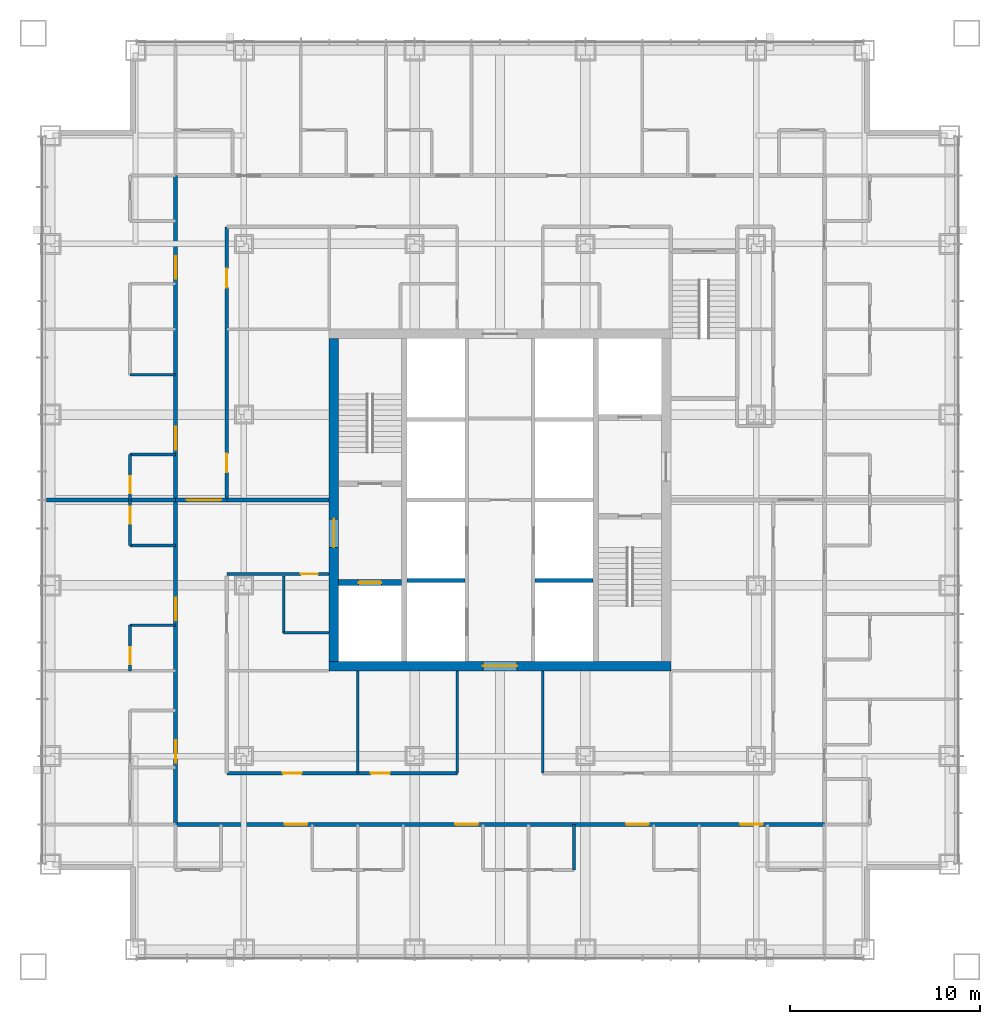
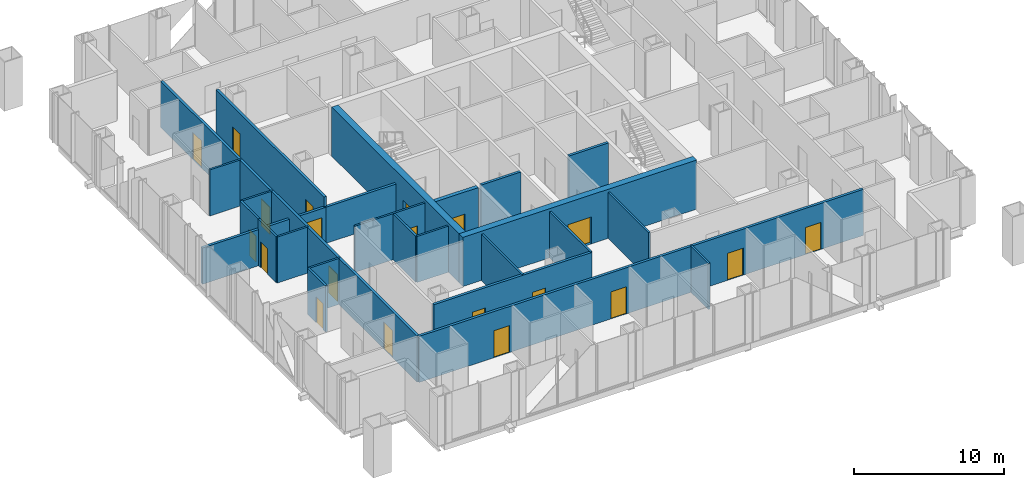
# One storey, part 9 of 16: 26 walls, 20 doors, 20 openings.
"""IFC4 building model written with IfcOpenShell, lengths in metres."""

from ifc_helpers import new_model, si_unit, direction, frame, frame_2d, origin, place, context, subcontext, project, spatial, rectangle, extrude, material, layer, layer_set, type_object, element, fill, save


model = new_model("IFC4")

# Units and contexts
model_context = context("Model", 3, precision=1e-05, world=origin(), true_north=direction((0.0, 1.0)))
body_context = subcontext(model_context, "Body", "Model", "MODEL_VIEW")
ifc_project = project(units=[si_unit("LENGTHUNIT", "METRE"), si_unit("AREAUNIT", "SQUARE_METRE"), si_unit("VOLUMEUNIT", "CUBIC_METRE"), si_unit("PLANEANGLEUNIT", "RADIAN"), si_unit("MASSUNIT", "GRAM", prefix="KILO")], contexts=[model_context])

# Site, building, storey
site_placement = place(None, origin())
site = spatial("IfcSite", under=ifc_project, at=site_placement, CompositionType="ELEMENT")
building_placement = place(site_placement, origin())
building = spatial("IfcBuilding", under=site, at=building_placement, Name="Malebo Sky Hospital", CompositionType="ELEMENT")
storey_placement = place(building_placement, frame((0.0, 0.0, 108.0)))
storey = spatial("IfcBuildingStorey", under=building, at=storey_placement, Name="L25", CompositionType="ELEMENT", Elevation=108.0)

# Walls
ifc_material_1 = material(Name="Concrete C80/95", Category="concrete")
ifc_layer_1 = layer(ifc_material_1, 0.199951171875)
ifc_layer_set_1 = layer_set([ifc_layer_1], Name="CORE INNER WALL 200")
wall_type_1 = type_object("IfcWallType", Name="CORE INNER WALL 200", PredefinedType="SHEAR", material=ifc_layer_set_1)
for number, where, z_axis, x_axis, name in (
    (1, (55.10009765625, 57.75, 0.0), (0.0, 0.0, 1.0), (1.0, 0.0, 0.0), "Core wall SW0 L25"),
    (2, (61.85009765625, 57.75, 0.0), (0.0, 0.0, 1.0), (1.0, 0.0, 0.0), "Core wall SE0 L25"),
):
    element("IfcWall", number, at=place(storey_placement, frame(where, z_axis=z_axis, x_axis=x_axis)), inside=storey, type_object=wall_type_1, Name=name, PredefinedType="SHEAR", context=body_context, shape_type="SweptSolid", body=[
        extrude(rectangle(XDim=3.0498046875, YDim=0.199951171875, at=frame_2d((1.52490234375, 0.0))), origin(), (0.0, 0.0, 1.0), 4.0),
    ])

# Wall, opening, door
ifc_layer_2 = layer(ifc_material_1, 0.300048828125)
ifc_layer_set_2 = layer_set([ifc_layer_2], Name="CORE INNER WALL 300")
wall_type_2 = type_object("IfcWallType", Name="CORE INNER WALL 300", PredefinedType="SHEAR", material=ifc_layer_set_2)
wall_1_placement = place(storey_placement, frame((51.5, 57.64990234375, 0.0), z_axis=(0.0, 0.0, 1.0), x_axis=(1.0, 0.0, 0.0)))
wall_1 = element("IfcWall", 3, at=wall_1_placement, inside=storey, type_object=wall_type_2, Name="Core wall W2 L25", PredefinedType="SHEAR", context=body_context, shape_type="SweptSolid", body=[
    extrude(rectangle(XDim=3.300048828125, YDim=0.300048828125, at=frame_2d((1.64990234375, 0.0))), origin(), (0.0, 0.0, 1.0), 4.0),
])
opening_1_placement = place(wall_1_placement, frame((1.050048828125, 0.0, 0.0)))
opening_1 = element("IfcOpeningElement", 4, at=opening_1_placement, cuts=wall_1, Name="Opening LD2", PredefinedType="OPENING", context=body_context, shape_type="SweptSolid", body=[
    extrude(rectangle(XDim=1.199951171875, YDim=2.199951171875, at=frame_2d((0.60009765625, 1.10009765625))), frame((0.0, 0.159912109375, 0.0), z_axis=(0.0, -1.0, 0.0), x_axis=(1.0, 0.0, 0.0)), (0.0, 0.0, 1.0), 0.320068359375),
])
ifc_material_2 = material(Name="Stainless steel sliding landing door", Category="steel")
door_type_1 = type_object("IfcDoorType", Name="FIRE-FIGHTING LIFT LANDING DOOR 1200", OperationType="SLIDING_TO_LEFT", PredefinedType="DOOR", material=ifc_material_2)
door_1_placement = place(opening_1_placement, origin())
door_1 = element("IfcDoor", 5, at=door_1_placement, inside=storey, type_object=door_type_1, Name="Lift FL1 landing door", OperationType="SLIDING_TO_LEFT", OverallHeight=2.199951171875, OverallWidth=1.199951171875, PredefinedType="DOOR", context=body_context, shape_type="SweptSolid", body=[
    extrude(rectangle(XDim=1.199951171875, YDim=2.199951171875, at=frame_2d((0.60009765625, 1.10009765625))), frame((0.0, 0.02490234375, 0.0), z_axis=(0.0, -1.0, 0.0), x_axis=(1.0, 0.0, 0.0)), (0.0, 0.0, 1.0), 0.050048828125),
])
fill(opening_1, door_1)

ifc_layer_3 = layer(ifc_material_1, 0.5)
ifc_layer_set_3 = layer_set([ifc_layer_3], Name="CORE WALL 500")
wall_type_3 = type_object("IfcWallType", Name="CORE WALL 500", PredefinedType="SHEAR", material=ifc_layer_set_3)
wall_2_placement = place(storey_placement, frame((51.0, 53.25, 0.0), z_axis=(0.0, 0.0, 1.0), x_axis=(1.0, 0.0, 0.0)))
wall_2 = element("IfcWall", 6, at=wall_2_placement, inside=storey, type_object=wall_type_3, Name="Core wall S L25", PredefinedType="SHEAR", context=body_context, shape_type="SweptSolid", body=[
    extrude(rectangle(XDim=18.0, YDim=0.5, at=frame_2d((9.0, 0.0))), origin(), (0.0, 0.0, 1.0), 4.0),
])
opening_2_placement = place(wall_2_placement, frame((8.10009765625, 0.0, 0.0)))
opening_2 = element("IfcOpeningElement", 7, at=opening_2_placement, cuts=wall_2, Name="Opening D06", PredefinedType="OPENING", context=body_context, shape_type="SweptSolid", body=[
    extrude(rectangle(XDim=1.800048828125, YDim=2.199951171875, at=frame_2d((0.89990234375, 1.10009765625))), frame((0.0, 0.260009765625, 0.0), z_axis=(0.0, -1.0, 0.0), x_axis=(1.0, 0.0, 0.0)), (0.0, 0.0, 1.0), 0.52001953125),
])
ifc_material_3 = material(Name="Hardwood-faced door leaf in steel frame", Category="steel")
door_type_2 = type_object("IfcDoorType", Name="LOBBY DOOR PAIR 1800", OperationType="DOUBLE_DOOR_SINGLE_SWING", PredefinedType="DOOR", material=ifc_material_3)
door_2_placement = place(opening_2_placement, origin())
door_2 = element("IfcDoor", 8, at=door_2_placement, inside=storey, type_object=door_type_2, Name="Lift lobby door south", OperationType="DOUBLE_DOOR_SINGLE_SWING", OverallHeight=2.199951171875, OverallWidth=1.800048828125, PredefinedType="DOOR", context=body_context, shape_type="SweptSolid", body=[
    extrude(rectangle(XDim=1.800048828125, YDim=2.199951171875, at=frame_2d((0.89990234375, 1.10009765625))), frame((0.0, 0.02490234375, 0.0), z_axis=(0.0, -1.0, 0.0), x_axis=(1.0, 0.0, 0.0)), (0.0, 0.0, 1.0), 0.050048828125),
])
fill(opening_2, door_2)

wall_3_placement = place(storey_placement, frame((51.25, 53.5, 0.0), z_axis=(0.0, 0.0, 1.0), x_axis=(0.0, 1.0, 0.0)))
wall_3 = element("IfcWall", 9, at=wall_3_placement, inside=storey, type_object=wall_type_3, Name="Core wall W L25", PredefinedType="SHEAR", context=body_context, shape_type="SweptSolid", body=[
    extrude(rectangle(XDim=17.0, YDim=0.5, at=frame_2d((8.5, 0.0))), origin(), (0.0, 0.0, 1.0), 4.0),
])
opening_3_placement = place(wall_3_placement, frame((6.0, 0.0, 0.0)))
opening_3 = element("IfcOpeningElement", 10, at=opening_3_placement, cuts=wall_3, Name="Opening D07", PredefinedType="OPENING", context=body_context, shape_type="SweptSolid", body=[
    extrude(rectangle(XDim=1.5, YDim=2.199951171875, at=frame_2d((0.75, 1.10009765625))), frame((0.0, 0.260009765625, 0.0), z_axis=(0.0, -1.0, 0.0), x_axis=(1.0, 0.0, 0.0)), (0.0, 0.0, 1.0), 0.52001953125),
])
door_type_3 = type_object("IfcDoorType", Name="FIRE-FIGHTING LOBBY DOOR PAIR 1500", OperationType="DOUBLE_DOOR_SINGLE_SWING", PredefinedType="DOOR", material=ifc_material_3)
door_3_placement = place(opening_3_placement, origin())
door_3 = element("IfcDoor", 11, at=door_3_placement, inside=storey, type_object=door_type_3, Name="Fire-fighting lobby door west", OperationType="DOUBLE_DOOR_SINGLE_SWING", OverallHeight=2.199951171875, OverallWidth=1.5, PredefinedType="DOOR", context=body_context, shape_type="SweptSolid", body=[
    extrude(rectangle(XDim=1.5, YDim=2.199951171875, at=frame_2d((0.75, 1.10009765625))), frame((0.0, 0.02490234375, 0.0), z_axis=(0.0, -1.0, 0.0), x_axis=(1.0, 0.0, 0.0)), (0.0, 0.0, 1.0), 0.050048828125),
])
fill(opening_3, door_3)

# Wall, openings, doors
ifc_material_4 = material(Name="Gypsum board on steel studs", Category="steel")
ifc_layer_4 = layer(ifc_material_4, 0.199951171875)
ifc_layer_set_4 = layer_set([ifc_layer_4], Name="CORRIDOR WALL 200")
wall_type_4 = type_object("IfcWallType", Name="CORRIDOR WALL 200", PredefinedType="PARTITIONING", material=ifc_layer_set_4)
wall_4_placement = place(storey_placement, frame((42.89990234375, 44.89990234375, 0.0), z_axis=(0.0, 0.0, 1.0), x_axis=(0.0, 1.0, 0.0)))
wall_4 = element("IfcWall", 12, at=wall_4_placement, inside=storey, type_object=wall_type_4, Name="Corridor Wall 200 WCO", PredefinedType="PARTITIONING", context=body_context, shape_type="SweptSolid", body=[
    extrude(rectangle(XDim=34.2001953125, YDim=0.199951171875, at=frame_2d((17.10009765625, 0.0))), origin(), (0.0, 0.0, 1.0), 3.75),
])
opening_4_placement = place(wall_4_placement, frame((3.25, 0.0, 0.0)))
opening_4 = element("IfcOpeningElement", 13, at=opening_4_placement, cuts=wall_4, Name="Opening D18", PredefinedType="OPENING", context=body_context, shape_type="SweptSolid", body=[
    extrude(rectangle(XDim=1.199951171875, YDim=2.199951171875, at=frame_2d((0.60009765625, 1.10009765625))), frame((0.0, 0.10986328125, 0.0), z_axis=(0.0, -1.0, 0.0), x_axis=(1.0, 0.0, 0.0)), (0.0, 0.0, 1.0), 0.219970703125),
])
opening_5_placement = place(wall_4_placement, frame((10.75, 0.0, 0.0)))
opening_5 = element("IfcOpeningElement", 14, at=opening_5_placement, cuts=wall_4, Name="Opening D01", PredefinedType="OPENING", context=body_context, shape_type="SweptSolid", body=[
    extrude(rectangle(XDim=1.199951171875, YDim=2.199951171875, at=frame_2d((0.60009765625, 1.10009765625))), frame((0.0, 0.10986328125, 0.0), z_axis=(0.0, -1.0, 0.0), x_axis=(1.0, 0.0, 0.0)), (0.0, 0.0, 1.0), 0.219970703125),
])
opening_6_placement = place(wall_4_placement, frame((19.75, 0.0, 0.0)))
opening_6 = element("IfcOpeningElement", 15, at=opening_6_placement, cuts=wall_4, Name="Opening D01", PredefinedType="OPENING", context=body_context, shape_type="SweptSolid", body=[
    extrude(rectangle(XDim=1.199951171875, YDim=2.199951171875, at=frame_2d((0.60009765625, 1.10009765625))), frame((0.0, 0.10986328125, 0.0), z_axis=(0.0, -1.0, 0.0), x_axis=(1.0, 0.0, 0.0)), (0.0, 0.0, 1.0), 0.219970703125),
])
opening_7_placement = place(wall_4_placement, frame((28.75, 0.0, 0.0)))
opening_7 = element("IfcOpeningElement", 16, at=opening_7_placement, cuts=wall_4, Name="Opening D01", PredefinedType="OPENING", context=body_context, shape_type="SweptSolid", body=[
    extrude(rectangle(XDim=1.199951171875, YDim=2.199951171875, at=frame_2d((0.60009765625, 1.10009765625))), frame((0.0, 0.10986328125, 0.0), z_axis=(0.0, -1.0, 0.0), x_axis=(1.0, 0.0, 0.0)), (0.0, 0.0, 1.0), 0.219970703125),
])
door_type_4 = type_object("IfcDoorType", Name="ANTEROOM DOOR 1200", OperationType="SINGLE_SWING_LEFT", PredefinedType="DOOR", material=ifc_material_3)
door_4_placement = place(opening_4_placement, origin())
door_4 = element("IfcDoor", 17, at=door_4_placement, inside=storey, type_object=door_type_4, Name="Anteroom door", OperationType="SINGLE_SWING_LEFT", OverallHeight=2.199951171875, OverallWidth=1.199951171875, PredefinedType="DOOR", context=body_context, shape_type="SweptSolid", body=[
    extrude(rectangle(XDim=1.199951171875, YDim=2.199951171875, at=frame_2d((0.60009765625, 1.10009765625))), frame((0.0, 0.02490234375, 0.0), z_axis=(0.0, -1.0, 0.0), x_axis=(1.0, 0.0, 0.0)), (0.0, 0.0, 1.0), 0.050048828125),
])
fill(opening_4, door_4)
door_type_5 = type_object("IfcDoorType", Name="BED DOOR 1200", OperationType="SINGLE_SWING_LEFT", PredefinedType="DOOR", material=ifc_material_3)
door_5_placement = place(opening_5_placement, origin())
door_5 = element("IfcDoor", 18, at=door_5_placement, inside=storey, type_object=door_type_5, Name="Four-bed bay door", OperationType="SINGLE_SWING_LEFT", OverallHeight=2.199951171875, OverallWidth=1.199951171875, PredefinedType="DOOR", context=body_context, shape_type="SweptSolid", body=[
    extrude(rectangle(XDim=1.199951171875, YDim=2.199951171875, at=frame_2d((0.60009765625, 1.10009765625))), frame((0.0, 0.02490234375, 0.0), z_axis=(0.0, -1.0, 0.0), x_axis=(1.0, 0.0, 0.0)), (0.0, 0.0, 1.0), 0.050048828125),
])
fill(opening_5, door_5)
door_6_placement = place(opening_6_placement, origin())
door_6 = element("IfcDoor", 19, at=door_6_placement, inside=storey, type_object=door_type_5, Name="Four-bed bay door", OperationType="SINGLE_SWING_LEFT", OverallHeight=2.199951171875, OverallWidth=1.199951171875, PredefinedType="DOOR", context=body_context, shape_type="SweptSolid", body=[
    extrude(rectangle(XDim=1.199951171875, YDim=2.199951171875, at=frame_2d((0.60009765625, 1.10009765625))), frame((0.0, 0.02490234375, 0.0), z_axis=(0.0, -1.0, 0.0), x_axis=(1.0, 0.0, 0.0)), (0.0, 0.0, 1.0), 0.050048828125),
])
fill(opening_6, door_6)
door_7_placement = place(opening_7_placement, origin())
door_7 = element("IfcDoor", 20, at=door_7_placement, inside=storey, type_object=door_type_5, Name="Four-bed bay door", OperationType="SINGLE_SWING_LEFT", OverallHeight=2.199951171875, OverallWidth=1.199951171875, PredefinedType="DOOR", context=body_context, shape_type="SweptSolid", body=[
    extrude(rectangle(XDim=1.199951171875, YDim=2.199951171875, at=frame_2d((0.60009765625, 1.10009765625))), frame((0.0, 0.02490234375, 0.0), z_axis=(0.0, -1.0, 0.0), x_axis=(1.0, 0.0, 0.0)), (0.0, 0.0, 1.0), 0.050048828125),
])
fill(opening_7, door_7)

wall_5_placement = place(storey_placement, frame((45.60009765625, 62.0, 0.0), z_axis=(0.0, 0.0, 1.0), x_axis=(0.0, 1.0, 0.0)))
wall_5 = element("IfcWall", 21, at=wall_5_placement, inside=storey, type_object=wall_type_4, Name="Corridor Wall 200 WCI2", PredefinedType="PARTITIONING", context=body_context, shape_type="SweptSolid", body=[
    extrude(rectangle(XDim=14.39990234375, YDim=0.199951171875, at=frame_2d((7.199951171875, 0.0))), origin(), (0.0, 0.0, 1.0), 3.75),
])
opening_8_placement = place(wall_5_placement, frame((1.449951171875, 0.0, 0.0)))
opening_8 = element("IfcOpeningElement", 22, at=opening_8_placement, cuts=wall_5, Name="Opening D03", PredefinedType="OPENING", context=body_context, shape_type="SweptSolid", body=[
    extrude(rectangle(XDim=1.0, YDim=2.10009765625, at=frame_2d((0.5, 1.050048828125))), frame((0.0, 0.10986328125, 0.0), z_axis=(0.0, -1.0, 0.0), x_axis=(1.0, 0.0, 0.0)), (0.0, 0.0, 1.0), 0.219970703125),
])
opening_9_placement = place(wall_5_placement, frame((11.199951171875, 0.0, 0.0)))
opening_9 = element("IfcOpeningElement", 23, at=opening_9_placement, cuts=wall_5, Name="Opening D03", PredefinedType="OPENING", context=body_context, shape_type="SweptSolid", body=[
    extrude(rectangle(XDim=1.0, YDim=2.10009765625, at=frame_2d((0.5, 1.050048828125))), frame((0.0, 0.10986328125, 0.0), z_axis=(0.0, -1.0, 0.0), x_axis=(1.0, 0.0, 0.0)), (0.0, 0.0, 1.0), 0.219970703125),
])
door_type_6 = type_object("IfcDoorType", Name="ROOM DOOR 1000", OperationType="SINGLE_SWING_LEFT", PredefinedType="DOOR", material=ifc_material_3)
door_8_placement = place(opening_8_placement, origin())
door_8 = element("IfcDoor", 24, at=door_8_placement, inside=storey, type_object=door_type_6, Name="Nurse station door", OperationType="SINGLE_SWING_LEFT", OverallHeight=2.10009765625, OverallWidth=1.0, PredefinedType="DOOR", context=body_context, shape_type="SweptSolid", body=[
    extrude(rectangle(XDim=1.0, YDim=2.10009765625, at=frame_2d((0.5, 1.050048828125))), frame((0.0, 0.02490234375, 0.0), z_axis=(0.0, -1.0, 0.0), x_axis=(1.0, 0.0, 0.0)), (0.0, 0.0, 1.0), 0.050048828125),
])
fill(opening_8, door_8)
door_9_placement = place(opening_9_placement, origin())
door_9 = element("IfcDoor", 25, at=door_9_placement, inside=storey, type_object=door_type_6, Name="Clean utility room door", OperationType="SINGLE_SWING_RIGHT", OverallHeight=2.10009765625, OverallWidth=1.0, PredefinedType="DOOR", context=body_context, shape_type="SweptSolid", body=[
    extrude(rectangle(XDim=1.0, YDim=2.10009765625, at=frame_2d((0.5, 1.050048828125))), frame((0.0, 0.02490234375, 0.0), z_axis=(0.0, -1.0, 0.0), x_axis=(1.0, 0.0, 0.0)), (0.0, 0.0, 1.0), 0.050048828125),
])
fill(opening_9, door_9)

wall_6_placement = place(storey_placement, frame((77.10009765625, 44.89990234375, 0.0), z_axis=(0.0, 0.0, 1.0), x_axis=(-1.0, 0.0, 0.0)))
wall_6 = element("IfcWall", 26, at=wall_6_placement, inside=storey, type_object=wall_type_4, Name="Corridor Wall 200 SCO", PredefinedType="PARTITIONING", context=body_context, shape_type="SweptSolid", body=[
    extrude(rectangle(XDim=34.2001953125, YDim=0.199951171875, at=frame_2d((17.10009765625, 0.0))), origin(), (0.0, 0.0, 1.0), 3.75),
])
opening_10_placement = place(wall_6_placement, frame((3.25, 0.0, 0.0)))
opening_10 = element("IfcOpeningElement", 27, at=opening_10_placement, cuts=wall_6, Name="Opening D01", PredefinedType="OPENING", context=body_context, shape_type="SweptSolid", body=[
    extrude(rectangle(XDim=1.199951171875, YDim=2.199951171875, at=frame_2d((0.60009765625, 1.10009765625))), frame((0.0, 0.10986328125, 0.0), z_axis=(0.0, -1.0, 0.0), x_axis=(1.0, 0.0, 0.0)), (0.0, 0.0, 1.0), 0.219970703125),
])
opening_11_placement = place(wall_6_placement, frame((9.25, 0.0, 0.0)))
opening_11 = element("IfcOpeningElement", 28, at=opening_11_placement, cuts=wall_6, Name="Opening D01", PredefinedType="OPENING", context=body_context, shape_type="SweptSolid", body=[
    extrude(rectangle(XDim=1.199951171875, YDim=2.199951171875, at=frame_2d((0.60009765625, 1.10009765625))), frame((0.0, 0.10986328125, 0.0), z_axis=(0.0, -1.0, 0.0), x_axis=(1.0, 0.0, 0.0)), (0.0, 0.0, 1.0), 0.219970703125),
])
opening_12_placement = place(wall_6_placement, frame((18.25, 0.0, 0.0)))
opening_12 = element("IfcOpeningElement", 29, at=opening_12_placement, cuts=wall_6, Name="Opening D01", PredefinedType="OPENING", context=body_context, shape_type="SweptSolid", body=[
    extrude(rectangle(XDim=1.199951171875, YDim=2.199951171875, at=frame_2d((0.60009765625, 1.10009765625))), frame((0.0, 0.10986328125, 0.0), z_axis=(0.0, -1.0, 0.0), x_axis=(1.0, 0.0, 0.0)), (0.0, 0.0, 1.0), 0.219970703125),
])
opening_13_placement = place(wall_6_placement, frame((27.25, 0.0, 0.0)))
opening_13 = element("IfcOpeningElement", 30, at=opening_13_placement, cuts=wall_6, Name="Opening D01", PredefinedType="OPENING", context=body_context, shape_type="SweptSolid", body=[
    extrude(rectangle(XDim=1.199951171875, YDim=2.199951171875, at=frame_2d((0.60009765625, 1.10009765625))), frame((0.0, 0.10986328125, 0.0), z_axis=(0.0, -1.0, 0.0), x_axis=(1.0, 0.0, 0.0)), (0.0, 0.0, 1.0), 0.219970703125),
])
door_10_placement = place(opening_10_placement, origin())
door_10 = element("IfcDoor", 31, at=door_10_placement, inside=storey, type_object=door_type_5, Name="Single bed room door", OperationType="SINGLE_SWING_LEFT", OverallHeight=2.199951171875, OverallWidth=1.199951171875, PredefinedType="DOOR", context=body_context, shape_type="SweptSolid", body=[
    extrude(rectangle(XDim=1.199951171875, YDim=2.199951171875, at=frame_2d((0.60009765625, 1.10009765625))), frame((0.0, 0.02490234375, 0.0), z_axis=(0.0, -1.0, 0.0), x_axis=(1.0, 0.0, 0.0)), (0.0, 0.0, 1.0), 0.050048828125),
])
fill(opening_10, door_10)
door_11_placement = place(opening_11_placement, origin())
door_11 = element("IfcDoor", 32, at=door_11_placement, inside=storey, type_object=door_type_5, Name="Four-bed bay door", OperationType="SINGLE_SWING_LEFT", OverallHeight=2.199951171875, OverallWidth=1.199951171875, PredefinedType="DOOR", context=body_context, shape_type="SweptSolid", body=[
    extrude(rectangle(XDim=1.199951171875, YDim=2.199951171875, at=frame_2d((0.60009765625, 1.10009765625))), frame((0.0, 0.02490234375, 0.0), z_axis=(0.0, -1.0, 0.0), x_axis=(1.0, 0.0, 0.0)), (0.0, 0.0, 1.0), 0.050048828125),
])
fill(opening_11, door_11)
door_12_placement = place(opening_12_placement, origin())
door_12 = element("IfcDoor", 33, at=door_12_placement, inside=storey, type_object=door_type_5, Name="Four-bed bay door", OperationType="SINGLE_SWING_LEFT", OverallHeight=2.199951171875, OverallWidth=1.199951171875, PredefinedType="DOOR", context=body_context, shape_type="SweptSolid", body=[
    extrude(rectangle(XDim=1.199951171875, YDim=2.199951171875, at=frame_2d((0.60009765625, 1.10009765625))), frame((0.0, 0.02490234375, 0.0), z_axis=(0.0, -1.0, 0.0), x_axis=(1.0, 0.0, 0.0)), (0.0, 0.0, 1.0), 0.050048828125),
])
fill(opening_12, door_12)
door_13_placement = place(opening_13_placement, origin())
door_13 = element("IfcDoor", 34, at=door_13_placement, inside=storey, type_object=door_type_5, Name="Four-bed bay door", OperationType="SINGLE_SWING_LEFT", OverallHeight=2.199951171875, OverallWidth=1.199951171875, PredefinedType="DOOR", context=body_context, shape_type="SweptSolid", body=[
    extrude(rectangle(XDim=1.199951171875, YDim=2.199951171875, at=frame_2d((0.60009765625, 1.10009765625))), frame((0.0, 0.02490234375, 0.0), z_axis=(0.0, -1.0, 0.0), x_axis=(1.0, 0.0, 0.0)), (0.0, 0.0, 1.0), 0.050048828125),
])
fill(opening_13, door_13)

wall_7_placement = place(storey_placement, frame((57.75, 47.60009765625, 0.0), z_axis=(0.0, 0.0, 1.0), x_axis=(-1.0, 0.0, 0.0)))
wall_7 = element("IfcWall", 35, at=wall_7_placement, inside=storey, type_object=wall_type_4, Name="Corridor Wall 200 SCI2", PredefinedType="PARTITIONING", context=body_context, shape_type="SweptSolid", body=[
    extrude(rectangle(XDim=12.14990234375, YDim=0.199951171875, at=frame_2d((6.074951171875, 0.0))), origin(), (0.0, 0.0, 1.0), 3.75),
])
opening_14_placement = place(wall_7_placement, frame((3.550048828125, 0.0, 0.0)))
opening_14 = element("IfcOpeningElement", 36, at=opening_14_placement, cuts=wall_7, Name="Opening D03", PredefinedType="OPENING", context=body_context, shape_type="SweptSolid", body=[
    extrude(rectangle(XDim=1.0, YDim=2.10009765625, at=frame_2d((0.5, 1.050048828125))), frame((0.0, 0.10986328125, 0.0), z_axis=(0.0, -1.0, 0.0), x_axis=(1.0, 0.0, 0.0)), (0.0, 0.0, 1.0), 0.219970703125),
])
opening_15_placement = place(wall_7_placement, frame((8.199951171875, 0.0, 0.0)))
opening_15 = element("IfcOpeningElement", 37, at=opening_15_placement, cuts=wall_7, Name="Opening D03", PredefinedType="OPENING", context=body_context, shape_type="SweptSolid", body=[
    extrude(rectangle(XDim=1.0, YDim=2.10009765625, at=frame_2d((0.5, 1.050048828125))), frame((0.0, 0.10986328125, 0.0), z_axis=(0.0, -1.0, 0.0), x_axis=(1.0, 0.0, 0.0)), (0.0, 0.0, 1.0), 0.219970703125),
])
door_14_placement = place(opening_14_placement, origin())
door_14 = element("IfcDoor", 38, at=door_14_placement, inside=storey, type_object=door_type_6, Name="Ward office door", OperationType="SINGLE_SWING_RIGHT", OverallHeight=2.10009765625, OverallWidth=1.0, PredefinedType="DOOR", context=body_context, shape_type="SweptSolid", body=[
    extrude(rectangle(XDim=1.0, YDim=2.10009765625, at=frame_2d((0.5, 1.050048828125))), frame((0.0, 0.02490234375, 0.0), z_axis=(0.0, -1.0, 0.0), x_axis=(1.0, 0.0, 0.0)), (0.0, 0.0, 1.0), 0.050048828125),
])
fill(opening_14, door_14)
door_15_placement = place(opening_15_placement, origin())
door_15 = element("IfcDoor", 39, at=door_15_placement, inside=storey, type_object=door_type_6, Name="Echo room door", OperationType="SINGLE_SWING_RIGHT", OverallHeight=2.10009765625, OverallWidth=1.0, PredefinedType="DOOR", context=body_context, shape_type="SweptSolid", body=[
    extrude(rectangle(XDim=1.0, YDim=2.10009765625, at=frame_2d((0.5, 1.050048828125))), frame((0.0, 0.02490234375, 0.0), z_axis=(0.0, -1.0, 0.0), x_axis=(1.0, 0.0, 0.0)), (0.0, 0.0, 1.0), 0.050048828125),
])
fill(opening_15, door_15)

# Wall, opening, door
ifc_layer_5 = layer(ifc_material_4, 0.14990234375)
ifc_layer_set_5 = layer_set([ifc_layer_5], Name="PARTITION 150")
wall_type_5 = type_object("IfcWallType", Name="PARTITION 150", PredefinedType="PARTITIONING", material=ifc_layer_set_5)
wall_8_placement = place(storey_placement, frame((40.5, 53.0, 0.0), z_axis=(0.0, 0.0, 1.0), x_axis=(0.0, 1.0, 0.0)))
wall_8 = element("IfcWall", 40, at=wall_8_placement, inside=storey, type_object=wall_type_5, Name="Partition 150 WE1F", PredefinedType="PARTITIONING", context=body_context, shape_type="SweptSolid", body=[
    extrude(rectangle(XDim=2.39990234375, YDim=0.14990234375, at=frame_2d((1.199951171875, 0.0))), origin(), (0.0, 0.0, 1.0), 3.75),
])
opening_16_placement = place(wall_8_placement, frame((0.35009765625, 0.0, 0.0)))
opening_16 = element("IfcOpeningElement", 41, at=opening_16_placement, cuts=wall_8, Name="Opening D02", PredefinedType="OPENING", context=body_context, shape_type="SweptSolid", body=[
    extrude(rectangle(XDim=0.89990234375, YDim=2.10009765625, at=frame_2d((0.449951171875, 1.050048828125))), frame((0.0, 0.0849609375, 0.0), z_axis=(0.0, -1.0, 0.0), x_axis=(1.0, 0.0, 0.0)), (0.0, 0.0, 1.0), 0.169921875),
])
door_type_7 = type_object("IfcDoorType", Name="EN-SUITE DOOR 900", OperationType="SINGLE_SWING_LEFT", PredefinedType="DOOR", material=ifc_material_3)
door_16_placement = place(opening_16_placement, origin())
door_16 = element("IfcDoor", 42, at=door_16_placement, inside=storey, type_object=door_type_7, Name="En-suite door", OperationType="SINGLE_SWING_LEFT", OverallHeight=2.10009765625, OverallWidth=0.89990234375, PredefinedType="DOOR", context=body_context, shape_type="SweptSolid", body=[
    extrude(rectangle(XDim=0.89990234375, YDim=2.10009765625, at=frame_2d((0.449951171875, 1.050048828125))), frame((0.0, 0.02490234375, 0.0), z_axis=(0.0, -1.0, 0.0), x_axis=(1.0, 0.0, 0.0)), (0.0, 0.0, 1.0), 0.050048828125),
])
fill(opening_16, door_16)

# Wall
wall_9_placement = place(storey_placement, frame((42.89990234375, 55.39990234375, 0.0), z_axis=(0.0, 0.0, 1.0), x_axis=(-1.0, 0.0, 0.0)))
element("IfcWall", 43, at=wall_9_placement, inside=storey, type_object=wall_type_5, Name="Partition 150 WE1S", PredefinedType="PARTITIONING", context=body_context, shape_type="SweptSolid", body=[
    extrude(rectangle(XDim=2.39990234375, YDim=0.14990234375, at=frame_2d((1.199951171875, 0.0))), origin(), (0.0, 0.0, 1.0), 3.75),
])

# Wall, opening, door
wall_10_placement = place(storey_placement, frame((40.5, 59.60009765625, 0.0), z_axis=(0.0, 0.0, 1.0), x_axis=(0.0, 1.0, 0.0)))
wall_10 = element("IfcWall", 44, at=wall_10_placement, inside=storey, type_object=wall_type_5, Name="Partition 150 WG1F", PredefinedType="PARTITIONING", context=body_context, shape_type="SweptSolid", body=[
    extrude(rectangle(XDim=2.39990234375, YDim=0.14990234375, at=frame_2d((1.199951171875, 0.0))), origin(), (0.0, 0.0, 1.0), 3.75),
])
opening_17_placement = place(wall_10_placement, frame((1.14990234375, 0.0, 0.0)))
opening_17 = element("IfcOpeningElement", 45, at=opening_17_placement, cuts=wall_10, Name="Opening D02", PredefinedType="OPENING", context=body_context, shape_type="SweptSolid", body=[
    extrude(rectangle(XDim=0.89990234375, YDim=2.10009765625, at=frame_2d((0.449951171875, 1.050048828125))), frame((0.0, 0.0849609375, 0.0), z_axis=(0.0, -1.0, 0.0), x_axis=(1.0, 0.0, 0.0)), (0.0, 0.0, 1.0), 0.169921875),
])
door_17_placement = place(opening_17_placement, origin())
door_17 = element("IfcDoor", 46, at=door_17_placement, inside=storey, type_object=door_type_7, Name="En-suite door", OperationType="SINGLE_SWING_RIGHT", OverallHeight=2.10009765625, OverallWidth=0.89990234375, PredefinedType="DOOR", context=body_context, shape_type="SweptSolid", body=[
    extrude(rectangle(XDim=0.89990234375, YDim=2.10009765625, at=frame_2d((0.449951171875, 1.050048828125))), frame((0.0, 0.02490234375, 0.0), z_axis=(0.0, -1.0, 0.0), x_axis=(1.0, 0.0, 0.0)), (0.0, 0.0, 1.0), 0.050048828125),
])
fill(opening_17, door_17)

# Wall
wall_11_placement = place(storey_placement, frame((42.89990234375, 59.60009765625, 0.0), z_axis=(0.0, 0.0, 1.0), x_axis=(-1.0, 0.0, 0.0)))
element("IfcWall", 47, at=wall_11_placement, inside=storey, type_object=wall_type_5, Name="Partition 150 WG1S", PredefinedType="PARTITIONING", context=body_context, shape_type="SweptSolid", body=[
    extrude(rectangle(XDim=2.39990234375, YDim=0.14990234375, at=frame_2d((1.199951171875, 0.0))), origin(), (0.0, 0.0, 1.0), 3.75),
])

# Wall, opening, door
wall_12_placement = place(storey_placement, frame((40.5, 62.0, 0.0), z_axis=(0.0, 0.0, 1.0), x_axis=(0.0, 1.0, 0.0)))
wall_12 = element("IfcWall", 48, at=wall_12_placement, inside=storey, type_object=wall_type_5, Name="Partition 150 WE2F", PredefinedType="PARTITIONING", context=body_context, shape_type="SweptSolid", body=[
    extrude(rectangle(XDim=2.39990234375, YDim=0.14990234375, at=frame_2d((1.199951171875, 0.0))), origin(), (0.0, 0.0, 1.0), 3.75),
])
opening_18_placement = place(wall_12_placement, frame((0.35009765625, 0.0, 0.0)))
opening_18 = element("IfcOpeningElement", 49, at=opening_18_placement, cuts=wall_12, Name="Opening D02", PredefinedType="OPENING", context=body_context, shape_type="SweptSolid", body=[
    extrude(rectangle(XDim=0.89990234375, YDim=2.10009765625, at=frame_2d((0.449951171875, 1.050048828125))), frame((0.0, 0.0849609375, 0.0), z_axis=(0.0, -1.0, 0.0), x_axis=(1.0, 0.0, 0.0)), (0.0, 0.0, 1.0), 0.169921875),
])
door_18_placement = place(opening_18_placement, origin())
door_18 = element("IfcDoor", 50, at=door_18_placement, inside=storey, type_object=door_type_7, Name="En-suite door", OperationType="SINGLE_SWING_LEFT", OverallHeight=2.10009765625, OverallWidth=0.89990234375, PredefinedType="DOOR", context=body_context, shape_type="SweptSolid", body=[
    extrude(rectangle(XDim=0.89990234375, YDim=2.10009765625, at=frame_2d((0.449951171875, 1.050048828125))), frame((0.0, 0.02490234375, 0.0), z_axis=(0.0, -1.0, 0.0), x_axis=(1.0, 0.0, 0.0)), (0.0, 0.0, 1.0), 0.050048828125),
])
fill(opening_18, door_18)

# Walls
for number, where, z_axis, x_axis, name in (
    (51, (42.89990234375, 64.39990234375, 0.0), (0.0, 0.0, 1.0), (-1.0, 0.0, 0.0), "Partition 150 WE2S"),
    (52, (42.89990234375, 68.60009765625, 0.0), (0.0, 0.0, 1.0), (-1.0, 0.0, 0.0), "Partition 150 WG2S"),
):
    element("IfcWall", number, at=place(storey_placement, frame(where, z_axis=z_axis, x_axis=x_axis)), inside=storey, type_object=wall_type_5, Name=name, PredefinedType="PARTITIONING", context=body_context, shape_type="SweptSolid", body=[
        extrude(rectangle(XDim=2.39990234375, YDim=0.14990234375, at=frame_2d((1.199951171875, 0.0))), origin(), (0.0, 0.0, 1.0), 3.75),
    ])

# Wall, opening, door
wall_13_placement = place(storey_placement, frame((51.0, 58.10009765625, 0.0), z_axis=(0.0, 0.0, 1.0), x_axis=(-1.0, 0.0, 0.0)))
wall_13 = element("IfcWall", 53, at=wall_13_placement, inside=storey, type_object=wall_type_5, Name="Partition 150 WSPA", PredefinedType="PARTITIONING", context=body_context, shape_type="SweptSolid", body=[
    extrude(rectangle(XDim=5.39990234375, YDim=0.14990234375, at=frame_2d((2.699951171875, 0.0))), origin(), (0.0, 0.0, 1.0), 3.75),
])
opening_19_placement = place(wall_13_placement, frame((0.60009765625, 0.0, 0.0)))
opening_19 = element("IfcOpeningElement", 54, at=opening_19_placement, cuts=wall_13, Name="Opening D04", PredefinedType="OPENING", context=body_context, shape_type="SweptSolid", body=[
    extrude(rectangle(XDim=0.89990234375, YDim=2.10009765625, at=frame_2d((0.449951171875, 1.050048828125))), frame((0.0, 0.0849609375, 0.0), z_axis=(0.0, -1.0, 0.0), x_axis=(1.0, 0.0, 0.0)), (0.0, 0.0, 1.0), 0.169921875),
])
door_type_8 = type_object("IfcDoorType", Name="ROOM DOOR 900", OperationType="SINGLE_SWING_LEFT", PredefinedType="DOOR", material=ifc_material_3)
door_19_placement = place(opening_19_placement, origin())
door_19 = element("IfcDoor", 55, at=door_19_placement, inside=storey, type_object=door_type_8, Name="Cleaner's room door", OperationType="SINGLE_SWING_LEFT", OverallHeight=2.10009765625, OverallWidth=0.89990234375, PredefinedType="DOOR", context=body_context, shape_type="SweptSolid", body=[
    extrude(rectangle(XDim=0.89990234375, YDim=2.10009765625, at=frame_2d((0.449951171875, 1.050048828125))), frame((0.0, 0.02490234375, 0.0), z_axis=(0.0, -1.0, 0.0), x_axis=(1.0, 0.0, 0.0)), (0.0, 0.0, 1.0), 0.050048828125),
])
fill(opening_19, door_19)

# Walls
wall_14_placement = place(storey_placement, frame((48.60009765625, 55.0, 0.0), z_axis=(0.0, 0.0, 1.0), x_axis=(0.0, 1.0, 0.0)))
element("IfcWall", 56, at=wall_14_placement, inside=storey, type_object=wall_type_5, Name="Partition 150 WSX0", PredefinedType="PARTITIONING", context=body_context, shape_type="SweptSolid", body=[
    extrude(rectangle(XDim=3.0, YDim=0.14990234375, at=frame_2d((1.5, 0.0))), origin(), (0.0, 0.0, 1.0), 3.75),
])
for number, where, z_axis, x_axis, name in (
    (57, (51.0, 55.0, 0.0), (0.0, 0.0, 1.0), (-1.0, 0.0, 0.0), "Partition 150 WSY0"),
    (58, (63.89990234375, 44.89990234375, 0.0), (0.0, 0.0, 1.0), (0.0, -1.0, 0.0), "Partition 150 SG1S"),
):
    element("IfcWall", number, at=place(storey_placement, frame(where, z_axis=z_axis, x_axis=x_axis)), inside=storey, type_object=wall_type_5, Name=name, PredefinedType="PARTITIONING", context=body_context, shape_type="SweptSolid", body=[
        extrude(rectangle(XDim=2.39990234375, YDim=0.14990234375, at=frame_2d((1.199951171875, 0.0))), origin(), (0.0, 0.0, 1.0), 3.75),
    ])
for number, where, z_axis, x_axis, name in (
    (59, (62.25, 53.0, 0.0), (0.0, 0.0, 1.0), (0.0, -1.0, 0.0), "Partition 150 SSPA"),
    (60, (57.75, 53.0, 0.0), (0.0, 0.0, 1.0), (0.0, -1.0, 0.0), "Partition 150 SSPB"),
    (61, (52.5, 53.0, 0.0), (0.0, 0.0, 1.0), (0.0, -1.0, 0.0), "Partition 150 SSP+7.5"),
):
    element("IfcWall", number, at=place(storey_placement, frame(where, z_axis=z_axis, x_axis=x_axis)), inside=storey, type_object=wall_type_5, Name=name, PredefinedType="PARTITIONING", context=body_context, shape_type="SweptSolid", body=[
        extrude(rectangle(XDim=5.39990234375, YDim=0.14990234375, at=frame_2d((2.699951171875, 0.0))), origin(), (0.0, 0.0, 1.0), 3.75),
    ])
ifc_material_5 = material(Name="Concrete blockwork", Category="masonry")
ifc_layer_6 = layer(ifc_material_5, 0.199951171875)
ifc_layer_set_6 = layer_set([ifc_layer_6], Name="SMOKE BARRIER WALL 200")
wall_type_6 = type_object("IfcWallType", Name="SMOKE BARRIER WALL 200", PredefinedType="SOLIDWALL", material=ifc_layer_set_6)
wall_15_placement = place(storey_placement, frame((42.89990234375, 62.0, 0.0), z_axis=(0.0, 0.0, 1.0), x_axis=(-1.0, 0.0, 0.0)))
element("IfcWall", 62, at=wall_15_placement, inside=storey, type_object=wall_type_6, Name="Smoke Barrier Wall 200 WP+0.0", PredefinedType="SOLIDWALL", context=body_context, shape_type="SweptSolid", body=[
    extrude(rectangle(XDim=6.809814453125, YDim=0.199951171875, at=frame_2d((3.40478515625, 0.0))), origin(), (0.0, 0.0, 1.0), 2.949951171875),
])
wall_16_placement = place(storey_placement, frame((51.0, 62.0, 0.0), z_axis=(0.0, 0.0, 1.0), x_axis=(-1.0, 0.0, 0.0)))
element("IfcWall", 63, at=wall_16_placement, inside=storey, type_object=wall_type_6, Name="Smoke Barrier Wall 200 WSPB", PredefinedType="SOLIDWALL", context=body_context, shape_type="SweptSolid", body=[
    extrude(rectangle(XDim=5.39990234375, YDim=0.199951171875, at=frame_2d((2.699951171875, 0.0))), origin(), (0.0, 0.0, 1.0), 2.949951171875),
])

# Wall, opening, door
wall_17_placement = place(storey_placement, frame((45.60009765625, 62.0, 0.0), z_axis=(0.0, 0.0, 1.0), x_axis=(-1.0, 0.0, 0.0)))
wall_17 = element("IfcWall", 64, at=wall_17_placement, inside=storey, type_object=wall_type_6, Name="Smoke Barrier Wall 200 WSB", PredefinedType="SOLIDWALL", context=body_context, shape_type="SweptSolid", body=[
    extrude(rectangle(XDim=2.7001953125, YDim=0.199951171875, at=frame_2d((1.35009765625, 0.0))), origin(), (0.0, 0.0, 1.0), 2.949951171875),
])
opening_20_placement = place(wall_17_placement, frame((0.300048828125, 0.0, 0.0)))
opening_20 = element("IfcOpeningElement", 65, at=opening_20_placement, cuts=wall_17, Name="Opening D05", PredefinedType="OPENING", context=body_context, shape_type="SweptSolid", body=[
    extrude(rectangle(XDim=1.800048828125, YDim=2.199951171875, at=frame_2d((0.89990234375, 1.10009765625))), frame((0.0, 0.10986328125, 0.0), z_axis=(0.0, -1.0, 0.0), x_axis=(1.0, 0.0, 0.0)), (0.0, 0.0, 1.0), 0.219970703125),
])
door_type_9 = type_object("IfcDoorType", Name="SMOKE DOOR PAIR 1800", OperationType="DOUBLE_DOOR_DOUBLE_SWING", PredefinedType="DOOR", material=ifc_material_3)
door_20_placement = place(opening_20_placement, origin())
door_20 = element("IfcDoor", 66, at=door_20_placement, inside=storey, type_object=door_type_9, Name="Smoke compartment door pair", OperationType="DOUBLE_DOOR_DOUBLE_SWING", OverallHeight=2.199951171875, OverallWidth=1.800048828125, PredefinedType="DOOR", context=body_context, shape_type="SweptSolid", body=[
    extrude(rectangle(XDim=1.800048828125, YDim=2.199951171875, at=frame_2d((0.89990234375, 1.10009765625))), frame((0.0, 0.02490234375, 0.0), z_axis=(0.0, -1.0, 0.0), x_axis=(1.0, 0.0, 0.0)), (0.0, 0.0, 1.0), 0.050048828125),
])
fill(opening_20, door_20)

save(model, "model.ifc")
